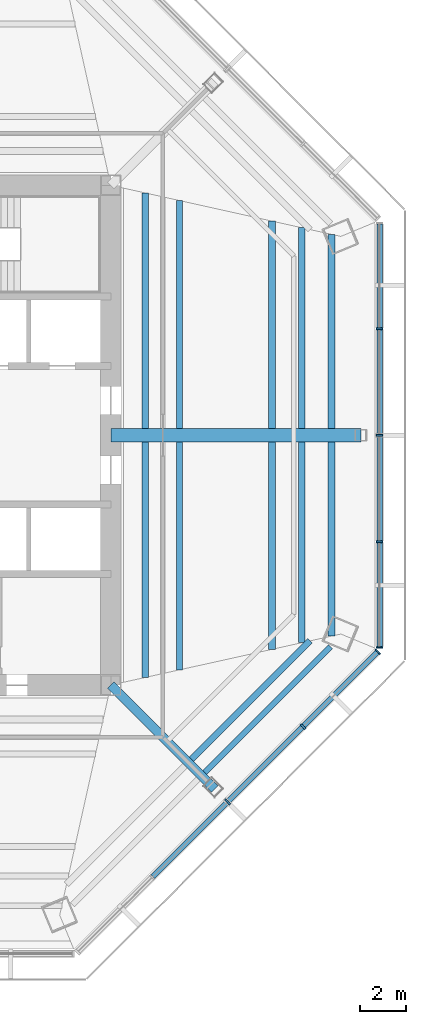
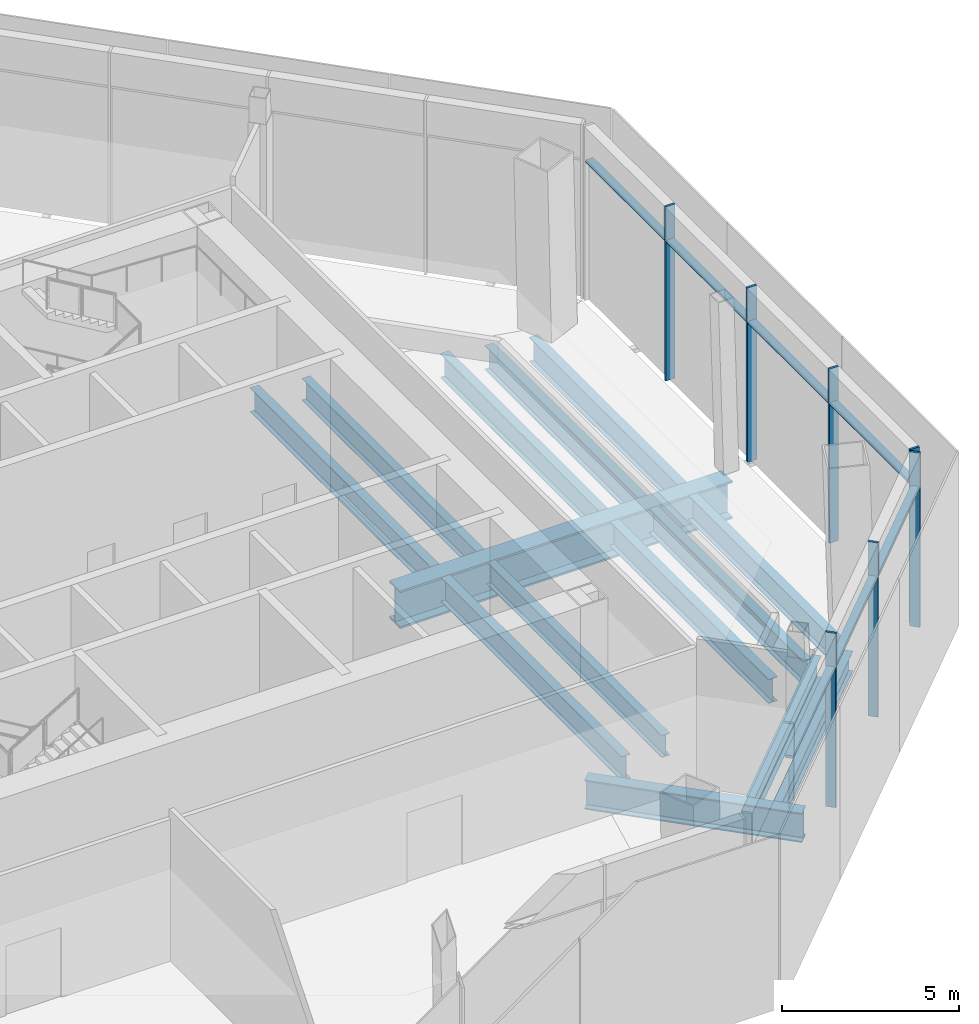
# One storey, part 3 of 13: 14 beams, 14 members, 2 elements without a shape of their own.
"""IFC4 building model written with IfcOpenShell, lengths in metres."""

from ifc_helpers import new_model, si_unit, direction, frame, origin, origin_2d, place, context, subcontext, project, spatial, rectangle, i_section, extrude, source, transform, mapped, material, material_profile, profile_set, type_object, type_shapes, element, aggregate, save


model = new_model("IFC4")

# Units and contexts
model_context = context("Model", 3, precision=1e-05, world=origin(), true_north=direction((0.0, 1.0)))
body_context = subcontext(model_context, "Body", "Model", "MODEL_VIEW")
ifc_project = project(units=[si_unit("LENGTHUNIT", "METRE"), si_unit("AREAUNIT", "SQUARE_METRE"), si_unit("VOLUMEUNIT", "CUBIC_METRE"), si_unit("PLANEANGLEUNIT", "RADIAN"), si_unit("MASSUNIT", "GRAM", prefix="KILO")], contexts=[model_context])

# Site, building, storey
site_placement = place(None, origin())
site = spatial("IfcSite", under=ifc_project, at=site_placement, CompositionType="ELEMENT")
building_placement = place(site_placement, origin())
building = spatial("IfcBuilding", under=site, at=building_placement, Name="Mashrafa Tower", CompositionType="ELEMENT")
storey_placement = place(building_placement, frame((0.0, 0.0, 198.0)))
storey = spatial("IfcBuildingStorey", under=building, at=storey_placement, Name="L45", CompositionType="ELEMENT", Elevation=198.0)

# Beams
ifc_material_1 = material(Name="Steel ASTM A572 Gr 50", Category="steel")
ifc_material_profile_1 = material_profile(ifc_material_1, i_section(OverallWidth=0.60009765625, OverallDepth=1.300048828125, WebThickness=0.028076171875, FlangeThickness=0.06494140625, at=origin_2d()), Name="H1300X600X28X65")
ifc_profile_set_1 = profile_set([ifc_material_profile_1], Name="Steel ASTM A572 Gr 50")
beam_type_1 = type_object("IfcBeamType", Name="Beam H1300X600X28X65", PredefinedType="BEAM", material=ifc_profile_set_1)
beam_1_placement = place(storey_placement, frame((10.800048828125, 0.0, -0.89990234375), z_axis=(1.0, 0.0, 0.0), x_axis=(0.0, 1.0, 0.0)))
element("IfcBeam", 1, at=beam_1_placement, inside=storey, type_object=beam_type_1, Name="Radial girder L45 063", PredefinedType="BEAM", context=body_context, shape_type="SweptSolid", body=[
    extrude(i_section(OverallWidth=0.60009765625, OverallDepth=1.300048828125, WebThickness=0.028076171875, FlangeThickness=0.06494140625, at=origin_2d()), origin(), (0.0, 0.0, 1.0), 10.820556640625),
])
ifc_material_2 = material(Name="Steel ASTM A992", Category="steel")
ifc_material_profile_2 = material_profile(ifc_material_2, i_section(OverallWidth=0.256591796875, OverallDepth=0.693359375, WebThickness=0.014404296875, FlangeThickness=0.023681640625, FilletRadius=0.01513671875, at=origin_2d()), Name="W27X114")
ifc_profile_set_2 = profile_set([ifc_material_profile_2], Name="Steel ASTM A992")
beam_type_2 = type_object("IfcBeamType", Name="Beam W27X114", PredefinedType="BEAM", material=ifc_profile_set_2)
beam_2_placement = place(storey_placement, frame((20.2958984375, -9.14013671875, -0.5966796875), z_axis=(-0.707122659987, -0.70709090203, 0.0), x_axis=(0.70709090203, -0.707122659987, 0.0)))
element("IfcBeam", 2, at=beam_2_placement, inside=storey, type_object=beam_type_2, Name="Floor beam L45 054", PredefinedType="BEAM", context=body_context, shape_type="SweptSolid", body=[
    extrude(i_section(OverallWidth=0.256591796875, OverallDepth=0.693359375, WebThickness=0.014404296875, FlangeThickness=0.023681640625, FilletRadius=0.01513671875, at=origin_2d()), origin(), (0.0, 0.0, 1.0), 7.6875),
])
ifc_material_3 = material(Name="Steel ASTM A992", Category="steel")
ifc_material_profile_3 = material_profile(ifc_material_3, i_section(OverallWidth=0.2666015625, OverallDepth=0.761962890625, WebThickness=0.014404296875, FlangeThickness=0.021484375, FilletRadius=0.0166015625, at=origin_2d()), Name="W30X116")
ifc_profile_set_3 = profile_set([ifc_material_profile_3], Name="Steel ASTM A992")
beam_type_3 = type_object("IfcBeamType", Name="Beam W30X116", PredefinedType="BEAM", material=ifc_profile_set_3)
for number, where, z_axis, x_axis, name in (
    (3, (13.77099609375, -0.300048828125, -0.631103515625), (0.0, -1.0, 0.0), (1.0, 0.0, 0.0), "Floor beam L45 043"),
    (4, (13.77099609375, 10.14013671875, -0.631103515625), (0.0, -1.0, 0.0), (1.0, 0.0, 0.0), "Floor beam L45 044"),
):
    element("IfcBeam", number, at=place(storey_placement, frame(where, z_axis=z_axis, x_axis=x_axis)), inside=storey, type_object=beam_type_3, Name=name, PredefinedType="BEAM", context=body_context, shape_type="SweptSolid", body=[
        extrude(i_section(OverallWidth=0.2666015625, OverallDepth=0.761962890625, WebThickness=0.014404296875, FlangeThickness=0.021484375, FilletRadius=0.0166015625, at=origin_2d()), origin(), (0.0, 0.0, 1.0), 9.840087890625),
    ])
ifc_material_4 = material(Name="Steel ASTM A992", Category="steel")
ifc_material_profile_4 = material_profile(ifc_material_4, i_section(OverallWidth=0.2666015625, OverallDepth=0.75439453125, WebThickness=0.01318359375, FlangeThickness=0.01708984375, FilletRadius=0.0166015625, at=origin_2d()), Name="W30X99")
ifc_profile_set_4 = profile_set([ifc_material_profile_4], Name="Steel ASTM A992")
beam_type_4 = type_object("IfcBeamType", Name="Beam W30X99", PredefinedType="BEAM", material=ifc_profile_set_4)
beam_3_placement = place(storey_placement, frame((19.4072265625, -8.88818359375, -0.627197265625), z_axis=(-0.707089914187, -0.707123647784, 0.0), x_axis=(0.707123647784, -0.707089914187, 0.0)))
element("IfcBeam", 5, at=beam_3_placement, inside=storey, type_object=beam_type_4, Name="Floor beam L45 053", PredefinedType="BEAM", context=body_context, shape_type="SweptSolid", body=[
    extrude(i_section(OverallWidth=0.2666015625, OverallDepth=0.75439453125, WebThickness=0.01318359375, FlangeThickness=0.01708984375, FilletRadius=0.0166015625, at=origin_2d()), origin(), (0.0, 0.0, 1.0), 7.2373046875),
])
ifc_material_5 = material(Name="Steel ASTM A992", Category="steel")
ifc_material_profile_5 = material_profile(ifc_material_5, i_section(OverallWidth=0.2919921875, OverallDepth=0.8408203125, WebThickness=0.0146484375, FlangeThickness=0.021728515625, FilletRadius=0.017333984375, at=origin_2d()), Name="W33X130")
ifc_profile_set_5 = profile_set([ifc_material_profile_5], Name="Steel ASTM A992")
beam_type_5 = type_object("IfcBeamType", Name="Beam W33X130", PredefinedType="BEAM", material=ifc_profile_set_5)
for number, where, z_axis, x_axis, name in (
    (6, (12.285400390625, -0.300048828125, -0.67041015625), (0.0, -1.0, 0.0), (1.0, 0.0, 0.0), "Floor beam L45 041"),
    (7, (12.285400390625, 10.47021484375, -0.67041015625), (0.0, -1.0, 0.0), (1.0, 0.0, 0.0), "Floor beam L45 042"),
):
    element("IfcBeam", number, at=place(storey_placement, frame(where, z_axis=z_axis, x_axis=x_axis)), inside=storey, type_object=beam_type_5, Name=name, PredefinedType="BEAM", context=body_context, shape_type="SweptSolid", body=[
        extrude(i_section(OverallWidth=0.2919921875, OverallDepth=0.8408203125, WebThickness=0.0146484375, FlangeThickness=0.021728515625, FilletRadius=0.017333984375, at=origin_2d()), origin(), (0.0, 0.0, 1.0), 10.170166015625),
    ])
for number, where, z_axis, x_axis, name in (
    (8, (17.77099609375, -0.300048828125, -0.67041015625), (0.0, -1.0, 0.0), (1.0, 0.0, 0.0), "Floor beam L45 049"),
    (9, (17.77099609375, 9.251708984375, -0.67041015625), (0.0, -1.0, 0.0), (1.0, 0.0, 0.0), "Floor beam L45 050"),
):
    element("IfcBeam", number, at=place(storey_placement, frame(where, z_axis=z_axis, x_axis=x_axis)), inside=storey, type_object=beam_type_5, Name=name, PredefinedType="BEAM", context=body_context, shape_type="SweptSolid", body=[
        extrude(i_section(OverallWidth=0.2919921875, OverallDepth=0.8408203125, WebThickness=0.0146484375, FlangeThickness=0.021728515625, FilletRadius=0.017333984375, at=origin_2d()), origin(), (0.0, 0.0, 1.0), 8.95166015625),
    ])
for number, where, z_axis, x_axis, name in (
    (10, (19.05419921875, -0.300048828125, -0.67041015625), (0.0, -1.0, 0.0), (1.0, 0.0, 0.0), "Floor beam L45 051"),
    (11, (19.05419921875, 8.966796875, -0.67041015625), (0.0, -1.0, 0.0), (1.0, 0.0, 0.0), "Floor beam L45 052"),
):
    element("IfcBeam", number, at=place(storey_placement, frame(where, z_axis=z_axis, x_axis=x_axis)), inside=storey, type_object=beam_type_5, Name=name, PredefinedType="BEAM", context=body_context, shape_type="SweptSolid", body=[
        extrude(i_section(OverallWidth=0.2919921875, OverallDepth=0.8408203125, WebThickness=0.0146484375, FlangeThickness=0.021728515625, FilletRadius=0.017333984375, at=origin_2d()), origin(), (0.0, 0.0, 1.0), 8.666748046875),
    ])
for number, where, z_axis, x_axis, name in (
    (12, (20.33740234375, -0.300048828125, -0.67041015625), (0.0, -1.0, 0.0), (1.0, 0.0, 0.0), "Floor beam L45 055"),
    (13, (20.33740234375, 8.681640625, -0.67041015625), (0.0, -1.0, 0.0), (1.0, 0.0, 0.0), "Floor beam L45 056"),
):
    element("IfcBeam", number, at=place(storey_placement, frame(where, z_axis=z_axis, x_axis=x_axis)), inside=storey, type_object=beam_type_5, Name=name, PredefinedType="BEAM", context=body_context, shape_type="SweptSolid", body=[
        extrude(i_section(OverallWidth=0.2919921875, OverallDepth=0.8408203125, WebThickness=0.0146484375, FlangeThickness=0.021728515625, FilletRadius=0.017333984375, at=origin_2d()), origin(), (0.0, 0.0, 1.0), 8.381591796875),
    ])
ifc_material_6 = material(Name="Steel ASTM A992", Category="steel")
ifc_material_profile_6 = material_profile(ifc_material_6, i_section(OverallWidth=0.4013671875, OverallDepth=1.010986328125, WebThickness=0.023681640625, FlangeThickness=0.0419921875, FilletRadius=0.02001953125, at=origin_2d()), Name="W40X297")
ifc_profile_set_6 = profile_set([ifc_material_profile_6], Name="Steel ASTM A992")
beam_type_6 = type_object("IfcBeamType", Name="Beam W40X297", PredefinedType="BEAM", material=ifc_profile_set_6)
beam_4_placement = place(storey_placement, frame((10.800048828125, -10.800048828125, -0.75537109375), z_axis=(0.707106781187, -0.707106781187, 0.0), x_axis=(0.707106781187, 0.707106781187, 0.0)))
element("IfcBeam", 14, at=beam_4_placement, inside=storey, type_object=beam_type_6, Name="Radial girder L45 062", PredefinedType="BEAM", context=body_context, shape_type="SweptSolid", body=[
    extrude(i_section(OverallWidth=0.4013671875, OverallDepth=1.010986328125, WebThickness=0.023681640625, FlangeThickness=0.0419921875, FilletRadius=0.02001953125, at=origin_2d()), origin(), (0.0, 0.0, 1.0), 6.346923828125),
])

# Curtain wall, members
ifc_material_7 = material(Name="Unitised aluminium curtain wall", Category="aluminium")
curtain_wall_type = type_object("IfcCurtainWallType", Name="Sky garden curtain wall CW-E 300 deep", PredefinedType="NOTDEFINED", material=ifc_material_7)
curtain_wall_1_placement = place(storey_placement, origin())
curtain_wall_1 = element("IfcCurtainWall", 15, at=curtain_wall_1_placement, inside=storey, type_object=curtain_wall_type, Name="Sky garden curtain wall L45 east", PredefinedType="NOTDEFINED")
ifc_material_8 = material(Name="Extruded aluminium mullion", Category="aluminium")
ifc_material_profile_7 = material_profile(ifc_material_8, rectangle(XDim=0.300048828125, YDim=0.074951171875, at=origin_2d()), Name="Mullion 75x300")
ifc_profile_set_7 = profile_set([ifc_material_profile_7], Name="Extruded aluminium mullion")
member_type_1 = type_object("IfcMemberType", Name="Mullion CW-E 75 x 300", PredefinedType="MULLION", material=ifc_profile_set_7)
shared_shape_1 = source(origin(), body_context, "Body", "SweptSolid", [
    extrude(rectangle(XDim=0.300048828125, YDim=0.074951171875, at=origin_2d()), origin(), (0.0, 0.0, 1.0), 6.0),
])
type_shapes(member_type_1, [shared_shape_1])
member_1_placement = place(storey_placement, frame((22.41357421875, -9.17431640625, 0.0), z_axis=(0.0, 0.0, 1.0), x_axis=(-1.0, 0.0, 0.0)))
member_1 = element("IfcMember", 16, at=member_1_placement, type_object=member_type_1, Name="CW-E mullion 1", PredefinedType="MULLION", context=body_context, shape_type="MappedRepresentation", body=[
    mapped(shared_shape_1, transform((0.0, 0.0, 0.0))),
])
member_2_placement = place(storey_placement, frame((22.41357421875, -4.60595703125, 0.0), z_axis=(0.0, 0.0, 1.0), x_axis=(-1.0, 0.0, 0.0)))
member_2 = element("IfcMember", 17, at=member_2_placement, type_object=member_type_1, Name="CW-E mullion 2", PredefinedType="MULLION", context=body_context, shape_type="MappedRepresentation", body=[
    mapped(shared_shape_1, transform((0.0, 0.0, 0.0))),
])
member_3_placement = place(storey_placement, frame((22.41357421875, 0.0, 0.0), z_axis=(0.0, 0.0, 1.0), x_axis=(-1.0, 0.0, 0.0)))
member_3 = element("IfcMember", 18, at=member_3_placement, type_object=member_type_1, Name="CW-E mullion 3", PredefinedType="MULLION", context=body_context, shape_type="MappedRepresentation", body=[
    mapped(shared_shape_1, transform((0.0, 0.0, 0.0))),
])
member_4_placement = place(storey_placement, frame((22.41357421875, 4.60595703125, 0.0), z_axis=(0.0, 0.0, 1.0), x_axis=(-1.0, 0.0, 0.0)))
member_4 = element("IfcMember", 19, at=member_4_placement, type_object=member_type_1, Name="CW-E mullion 4", PredefinedType="MULLION", context=body_context, shape_type="MappedRepresentation", body=[
    mapped(shared_shape_1, transform((0.0, 0.0, 0.0))),
])

curtain_wall_2_placement = place(storey_placement, origin())
curtain_wall_2 = element("IfcCurtainWall", 20, at=curtain_wall_2_placement, inside=storey, type_object=curtain_wall_type, Name="Sky garden curtain wall L45 south-east", PredefinedType="NOTDEFINED")
member_5_placement = place(storey_placement, frame((15.848876953125, -15.848876953125, 0.0), z_axis=(0.0, 0.0, 1.0), x_axis=(-0.707106781187, 0.707106781187, 0.0)))
member_5 = element("IfcMember", 21, at=member_5_placement, type_object=member_type_1, Name="CW-E mullion 3", PredefinedType="MULLION", context=body_context, shape_type="MappedRepresentation", body=[
    mapped(shared_shape_1, transform((0.0, 0.0, 0.0))),
])
member_6_placement = place(storey_placement, frame((19.105712890625, -12.591796875, 0.0), z_axis=(0.0, 0.0, 1.0), x_axis=(-0.707106781187, 0.707106781187, 0.0)))
member_6 = element("IfcMember", 22, at=member_6_placement, type_object=member_type_1, Name="CW-E mullion 4", PredefinedType="MULLION", context=body_context, shape_type="MappedRepresentation", body=[
    mapped(shared_shape_1, transform((0.0, 0.0, 0.0))),
])
member_7_placement = place(storey_placement, frame((22.3359375, -9.361572265625, 0.0), z_axis=(0.0, 0.0, 1.0), x_axis=(-0.707106781187, 0.707106781187, 0.0)))
member_7 = element("IfcMember", 23, at=member_7_placement, type_object=member_type_1, Name="CW-E mullion 5", PredefinedType="MULLION", context=body_context, shape_type="MappedRepresentation", body=[
    mapped(shared_shape_1, transform((0.0, 0.0, 0.0))),
])

# Member
ifc_material_9 = material(Name="Extruded aluminium transom", Category="aluminium")
ifc_material_profile_8 = material_profile(ifc_material_9, rectangle(XDim=0.239990234375, YDim=0.10009765625, at=origin_2d()), Name="Transom 100x240")
ifc_profile_set_8 = profile_set([ifc_material_profile_8], Name="Extruded aluminium transom")
member_type_2 = type_object("IfcMemberType", Name="Transom CW-E 100 x 240", PredefinedType="MULLION", material=ifc_profile_set_8)
shared_shape_2 = source(origin(), body_context, "Body", "SweptSolid", [
    extrude(rectangle(XDim=0.239990234375, YDim=0.10009765625, at=origin_2d()), origin(), (0.0, 0.0, 1.0), 4.493408203125),
])
member_8_placement = place(storey_placement, frame((22.41357421875, -9.136962890625, 4.800048828125), z_axis=(0.0, 1.0, 0.0), x_axis=(-1.0, 0.0, 0.0)))
member_8 = element("IfcMember", 24, at=member_8_placement, type_object=member_type_2, Name="CW-E transom 1", PredefinedType="MULLION", context=body_context, shape_type="MappedRepresentation", body=[
    mapped(shared_shape_2, transform((0.0, 0.0, 0.0))),
])

member_9_placement = place(storey_placement, frame((22.41357421875, 4.6435546875, 4.800048828125), z_axis=(0.0, 1.0, 0.0), x_axis=(-1.0, 0.0, 0.0)))
member_9 = element("IfcMember", 25, at=member_9_placement, type_object=member_type_2, Name="CW-E transom 4", PredefinedType="MULLION", context=body_context, shape_type="MappedRepresentation", body=[
    mapped(shared_shape_2, transform((0.0, 0.0, 0.0))),
])

shared_shape_3 = source(origin(), body_context, "Body", "SweptSolid", [
    extrude(rectangle(XDim=0.239990234375, YDim=0.10009765625, at=origin_2d()), origin(), (0.0, 0.0, 1.0), 4.53076171875),
])
member_10_placement = place(storey_placement, frame((22.41357421875, -4.568359375, 4.800048828125), z_axis=(0.0, 1.0, 0.0), x_axis=(-1.0, 0.0, 0.0)))
member_10 = element("IfcMember", 26, at=member_10_placement, type_object=member_type_2, Name="CW-E transom 2", PredefinedType="MULLION", context=body_context, shape_type="MappedRepresentation", body=[
    mapped(shared_shape_3, transform((0.0, 0.0, 0.0))),
])

member_11_placement = place(storey_placement, frame((22.41357421875, 0.03759765625, 4.800048828125), z_axis=(0.0, 1.0, 0.0), x_axis=(-1.0, 0.0, 0.0)))
member_11 = element("IfcMember", 27, at=member_11_placement, type_object=member_type_2, Name="CW-E transom 3", PredefinedType="MULLION", context=body_context, shape_type="MappedRepresentation", body=[
    mapped(shared_shape_3, transform((0.0, 0.0, 0.0))),
])

aggregate(curtain_wall_1, [member_1, member_2, member_3, member_4, member_8, member_10, member_11, member_9])

shared_shape_4 = source(origin(), body_context, "Body", "SweptSolid", [
    extrude(rectangle(XDim=0.239990234375, YDim=0.10009765625, at=origin_2d()), origin(), (0.0, 0.0, 1.0), 4.49365234375),
])
member_12_placement = place(storey_placement, frame((19.132080078125, -12.5654296875, 4.800048828125), z_axis=(0.707106781187, 0.707106781187, 0.0), x_axis=(-0.707106781187, 0.707106781187, 0.0)))
member_12 = element("IfcMember", 28, at=member_12_placement, type_object=member_type_2, Name="CW-E transom 4", PredefinedType="MULLION", context=body_context, shape_type="MappedRepresentation", body=[
    mapped(shared_shape_4, transform((0.0, 0.0, 0.0))),
])

shared_shape_5 = source(origin(), body_context, "Body", "SweptSolid", [
    extrude(rectangle(XDim=0.239990234375, YDim=0.10009765625, at=origin_2d()), origin(), (0.0, 0.0, 1.0), 4.531005859375),
])
type_shapes(member_type_2, [shared_shape_2, shared_shape_3, shared_shape_4, shared_shape_5])
member_13_placement = place(storey_placement, frame((12.618408203125, -19.0791015625, 4.800048828125), z_axis=(0.707106781187, 0.707106781187, 0.0), x_axis=(-0.707106781187, 0.707106781187, 0.0)))
member_13 = element("IfcMember", 29, at=member_13_placement, type_object=member_type_2, Name="CW-E transom 2", PredefinedType="MULLION", context=body_context, shape_type="MappedRepresentation", body=[
    mapped(shared_shape_5, transform((0.0, 0.0, 0.0))),
])

member_14_placement = place(storey_placement, frame((15.875244140625, -15.822265625, 4.800048828125), z_axis=(0.707106781187, 0.707106781187, 0.0), x_axis=(-0.707106781187, 0.707106781187, 0.0)))
member_14 = element("IfcMember", 30, at=member_14_placement, type_object=member_type_2, Name="CW-E transom 3", PredefinedType="MULLION", context=body_context, shape_type="MappedRepresentation", body=[
    mapped(shared_shape_5, transform((0.0, 0.0, 0.0))),
])

aggregate(curtain_wall_2, [member_5, member_6, member_7, member_13, member_14, member_12])

save(model, "model.ifc")
